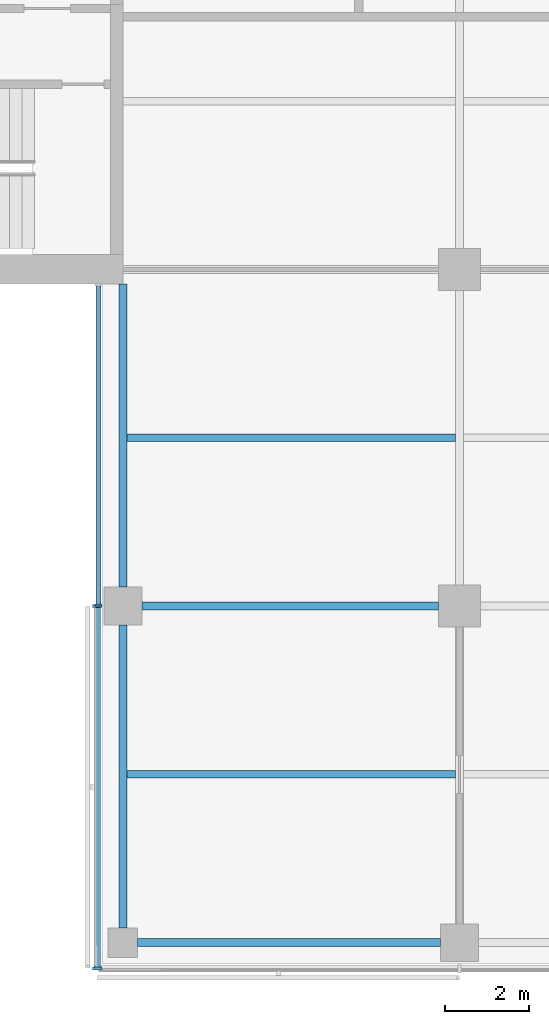
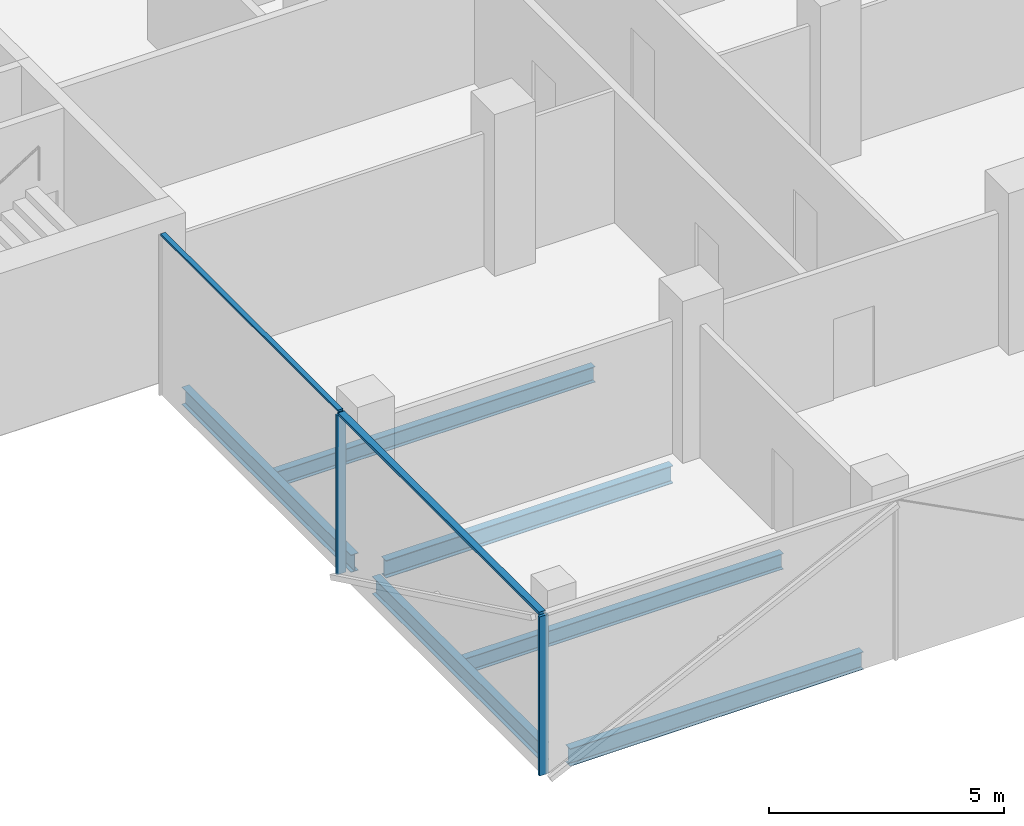
# One storey, part 2 of 22: 6 beams, 5 members, 2 elements without a shape of their own.
"""IFC4 building model written with IfcOpenShell, lengths in metres."""

from ifc_helpers import new_model, si_unit, direction, frame, origin, origin_2d, place, context, subcontext, project, spatial, rectangle, i_section, extrude, material, material_profile, profile_set, type_object, element, aggregate, save


model = new_model("IFC4")

# Units and contexts
model_context = context("Model", 3, precision=1e-05, world=origin(), true_north=direction((0.0, 1.0)))
body_context = subcontext(model_context, "Body", "Model", "MODEL_VIEW")
ifc_project = project(units=[si_unit("LENGTHUNIT", "METRE"), si_unit("AREAUNIT", "SQUARE_METRE"), si_unit("VOLUMEUNIT", "CUBIC_METRE"), si_unit("PLANEANGLEUNIT", "RADIAN"), si_unit("MASSUNIT", "GRAM", prefix="KILO")], contexts=[model_context])

# Site, building, storey
site_placement = place(None, origin())
site = spatial("IfcSite", under=ifc_project, at=site_placement, CompositionType="ELEMENT")
building_placement = place(site_placement, origin())
building = spatial("IfcBuilding", under=site, at=building_placement, Name="Crosswind Convention Tower", CompositionType="ELEMENT")
storey_placement = place(building_placement, frame((0.0, 0.0, 137.89990234375)))
storey = spatial("IfcBuildingStorey", under=building, at=storey_placement, Name="L28", CompositionType="ELEMENT", Elevation=137.89990234375)

# Beams
ifc_material_1 = material(Name="Steel S355", Category="steel")
ifc_material_profile_1 = material_profile(ifc_material_1, i_section(OverallWidth=0.18994140625, OverallDepth=0.45361328125, WebThickness=0.008544921875, FlangeThickness=0.0126953125, FilletRadius=0.01025390625, at=origin_2d()), Name="UB 457x191x67")
ifc_profile_set_1 = profile_set([ifc_material_profile_1], Name="Steel S355")
beam_type_1 = type_object("IfcBeamType", Name="Edge beam UB 457x191x67", PredefinedType="SPANDREL", material=ifc_profile_set_1)
for number, where, z_axis, x_axis, name in (
    (1, (113.0, 72.35009765625, -0.526611328125), (0.0, 1.0, 0.0), (-1.0, 0.0, 0.0), "B16 L28 edge beam 6"),
    (2, (113.0, 80.449951171875, -0.526611328125), (0.0, 1.0, 0.0), (-1.0, 0.0, 0.0), "B16 L28 edge beam 7"),
    (3, (113.35009765625, 72.0, -0.526611328125), (1.0, 0.0, 0.0), (0.0, 1.0, 0.0), "B16 L28 edge beam 10"),
):
    element("IfcBeam", number, at=place(storey_placement, frame(where, z_axis=z_axis, x_axis=x_axis)), inside=storey, type_object=beam_type_1, Name=name, PredefinedType="SPANDREL", context=body_context, shape_type="SweptSolid", body=[
        extrude(i_section(OverallWidth=0.18994140625, OverallDepth=0.45361328125, WebThickness=0.008544921875, FlangeThickness=0.0126953125, FilletRadius=0.01025390625, at=origin_2d()), origin(), (0.0, 0.0, 1.0), 7.199951171875),
    ])
ifc_material_profile_2 = material_profile(ifc_material_1, i_section(OverallWidth=0.19140625, OverallDepth=0.460205078125, WebThickness=0.010009765625, FlangeThickness=0.01611328125, FilletRadius=0.01025390625, at=origin_2d()), Name="UB 457x191x82")
ifc_profile_set_2 = profile_set([ifc_material_profile_2], Name="Steel S355")
beam_type_2 = type_object("IfcBeamType", Name="Girder UB 457x191x82", PredefinedType="BEAM", material=ifc_profile_set_2)
beam_placement = place(storey_placement, frame((113.449951171875, 80.0, -0.530029296875), z_axis=(1.0, 0.0, 0.0), x_axis=(0.0, 1.0, 0.0)))
element("IfcBeam", 4, at=beam_placement, inside=storey, type_object=beam_type_2, Name="B3 L28 girder 1", PredefinedType="BEAM", context=body_context, shape_type="SweptSolid", body=[
    extrude(i_section(OverallWidth=0.19140625, OverallDepth=0.460205078125, WebThickness=0.010009765625, FlangeThickness=0.01611328125, FilletRadius=0.01025390625, at=origin_2d()), origin(), (0.0, 0.0, 1.0), 7.050048828125),
])

# Curtain wall, member
ifc_material_2 = material(Name="Aluminium unitised curtain wall", Category="aluminium")
curtain_wall_type_1 = type_object("IfcCurtainWallType", Name="CORE END SLOT WALL 160", PredefinedType="USERDEFINED", material=ifc_material_2)
curtain_wall_1_placement = place(storey_placement, origin())
curtain_wall_1 = element("IfcCurtainWall", 5, at=curtain_wall_1_placement, inside=storey, type_object=curtain_wall_type_1, Name="CW6 L28 S-W.1-1 slot", ObjectType="UNITISED", PredefinedType="USERDEFINED")
ifc_material_3 = material(Name="Aluminium mullion", Category="aluminium")
ifc_material_profile_3 = material_profile(ifc_material_3, rectangle(XDim=0.159912109375, YDim=0.050048828125, at=origin_2d()), Name="AL 160X50")
ifc_profile_set_3 = profile_set([ifc_material_profile_3], Name="Aluminium mullion")
member_type_1 = type_object("IfcMemberType", Name="MULLION 50X160", PredefinedType="MULLION", material=ifc_profile_set_3)
member_1_placement = place(storey_placement, frame((112.419921875, 80.02490234375, -0.2998046875), z_axis=(0.0, 0.0, 1.0), x_axis=(-1.0, 0.0, 0.0)))
member_1 = element("IfcMember", 6, at=member_1_placement, type_object=member_type_1, Name="CW6 mullion 2", PredefinedType="MULLION", context=body_context, shape_type="SweptSolid", body=[
    extrude(rectangle(XDim=0.159912109375, YDim=0.050048828125, at=origin_2d()), origin(), (0.0, 0.0, 1.0), 4.14990234375),
])

# Curtain wall, members
curtain_wall_type_2 = type_object("IfcCurtainWallType", Name="OFFICE UNITISED WALL 220", PredefinedType="USERDEFINED", material=ifc_material_2)
curtain_wall_2_placement = place(storey_placement, origin())
curtain_wall_2 = element("IfcCurtainWall", 7, at=curtain_wall_2_placement, inside=storey, type_object=curtain_wall_type_2, Name="CW3 L28 S-W 1", ObjectType="UNITISED", PredefinedType="USERDEFINED")
ifc_material_profile_4 = material_profile(ifc_material_3, rectangle(XDim=0.219970703125, YDim=0.070068359375, at=origin_2d()), Name="AL 220X70")
ifc_profile_set_4 = profile_set([ifc_material_profile_4], Name="Aluminium mullion")
member_type_2 = type_object("IfcMemberType", Name="MULLION 70X220", PredefinedType="MULLION", material=ifc_profile_set_4)
member_2_placement = place(storey_placement, frame((112.389892578125, 80.0, -0.2998046875), z_axis=(0.0, 0.0, 1.0), x_axis=(-1.0, 0.0, 0.0)))
member_2 = element("IfcMember", 8, at=member_2_placement, type_object=member_type_2, Name="CW3 mullion 1", PredefinedType="MULLION", context=body_context, shape_type="SweptSolid", body=[
    extrude(rectangle(XDim=0.219970703125, YDim=0.070068359375, at=origin_2d()), origin(), (0.0, 0.0, 1.0), 4.1298828125),
])
member_3_placement = place(storey_placement, frame((112.389892578125, 71.389892578125, -0.2998046875), z_axis=(0.0, 0.0, 1.0), x_axis=(-1.0, 0.0, 0.0)))
member_3 = element("IfcMember", 9, at=member_3_placement, type_object=member_type_2, Name="CW3 mullion 2", PredefinedType="MULLION", context=body_context, shape_type="SweptSolid", body=[
    extrude(rectangle(XDim=0.219970703125, YDim=0.070068359375, at=origin_2d()), origin(), (0.0, 0.0, 1.0), 4.1298828125),
])

# Beams
ifc_material_profile_5 = material_profile(ifc_material_1, i_section(OverallWidth=0.177734375, OverallDepth=0.406494140625, WebThickness=0.0078125, FlangeThickness=0.0126953125, FilletRadius=0.01025390625, at=origin_2d()), Name="UB 406x178x60")
ifc_profile_set_5 = profile_set([ifc_material_profile_5], Name="Steel S355")
beam_type_3 = type_object("IfcBeamType", Name="Secondary beam UB 406x178x60", PredefinedType="JOIST", material=ifc_profile_set_5)
for number, where, z_axis, x_axis, name in (
    (10, (113.094970703125, 76.0, -0.503173828125), (1.0, 0.0, 0.0), (0.0, 1.0, 0.0), "B10 L28 secondary beam 7"),
    (11, (113.094970703125, 84.0, -0.503173828125), (1.0, 0.0, 0.0), (0.0, 1.0, 0.0), "B10 L28 secondary beam 8"),
):
    element("IfcBeam", number, at=place(storey_placement, frame(where, z_axis=z_axis, x_axis=x_axis)), inside=storey, type_object=beam_type_3, Name=name, PredefinedType="JOIST", context=body_context, shape_type="SweptSolid", body=[
        extrude(i_section(OverallWidth=0.177734375, OverallDepth=0.406494140625, WebThickness=0.0078125, FlangeThickness=0.0126953125, FilletRadius=0.01025390625, at=origin_2d()), origin(), (0.0, 0.0, 1.0), 7.809326171875),
    ])

# Member
ifc_material_4 = material(Name="Aluminium transom", Category="aluminium")
ifc_material_profile_6 = material_profile(ifc_material_4, rectangle(XDim=0.1201171875, YDim=0.050048828125, at=origin_2d()), Name="AL 120X50")
ifc_profile_set_6 = profile_set([ifc_material_profile_6], Name="Aluminium transom")
member_type_3 = type_object("IfcMemberType", Name="TRANSOM 50X120", PredefinedType="USERDEFINED", material=ifc_profile_set_6)
member_4_placement = place(storey_placement, frame((112.419921875, 87.60009765625, 3.875), z_axis=(0.0, -1.0, 0.0), x_axis=(1.0, 0.0, 0.0)))
member_4 = element("IfcMember", 12, at=member_4_placement, type_object=member_type_3, Name="CW6 transom", ObjectType="TRANSOM", PredefinedType="USERDEFINED", context=body_context, shape_type="SweptSolid", body=[
    extrude(rectangle(XDim=0.1201171875, YDim=0.050048828125, at=origin_2d()), origin(), (0.0, 0.0, 1.0), 7.550048828125),
])

aggregate(curtain_wall_1, [member_1, member_4])

ifc_material_profile_7 = material_profile(ifc_material_4, rectangle(XDim=0.159912109375, YDim=0.070068359375, at=origin_2d()), Name="AL 160X70")
ifc_profile_set_7 = profile_set([ifc_material_profile_7], Name="Aluminium transom")
member_type_4 = type_object("IfcMemberType", Name="TRANSOM 70X160", PredefinedType="USERDEFINED", material=ifc_profile_set_7)
member_5_placement = place(storey_placement, frame((112.389892578125, 79.965087890625, 3.864990234375), z_axis=(0.0, -1.0, 0.0), x_axis=(1.0, 0.0, 0.0)))
member_5 = element("IfcMember", 13, at=member_5_placement, type_object=member_type_4, Name="CW3 transom", ObjectType="TRANSOM", PredefinedType="USERDEFINED", context=body_context, shape_type="SweptSolid", body=[
    extrude(rectangle(XDim=0.159912109375, YDim=0.070068359375, at=origin_2d()), origin(), (0.0, 0.0, 1.0), 8.5400390625),
])

aggregate(curtain_wall_2, [member_2, member_3, member_5])

save(model, "model.ifc")
